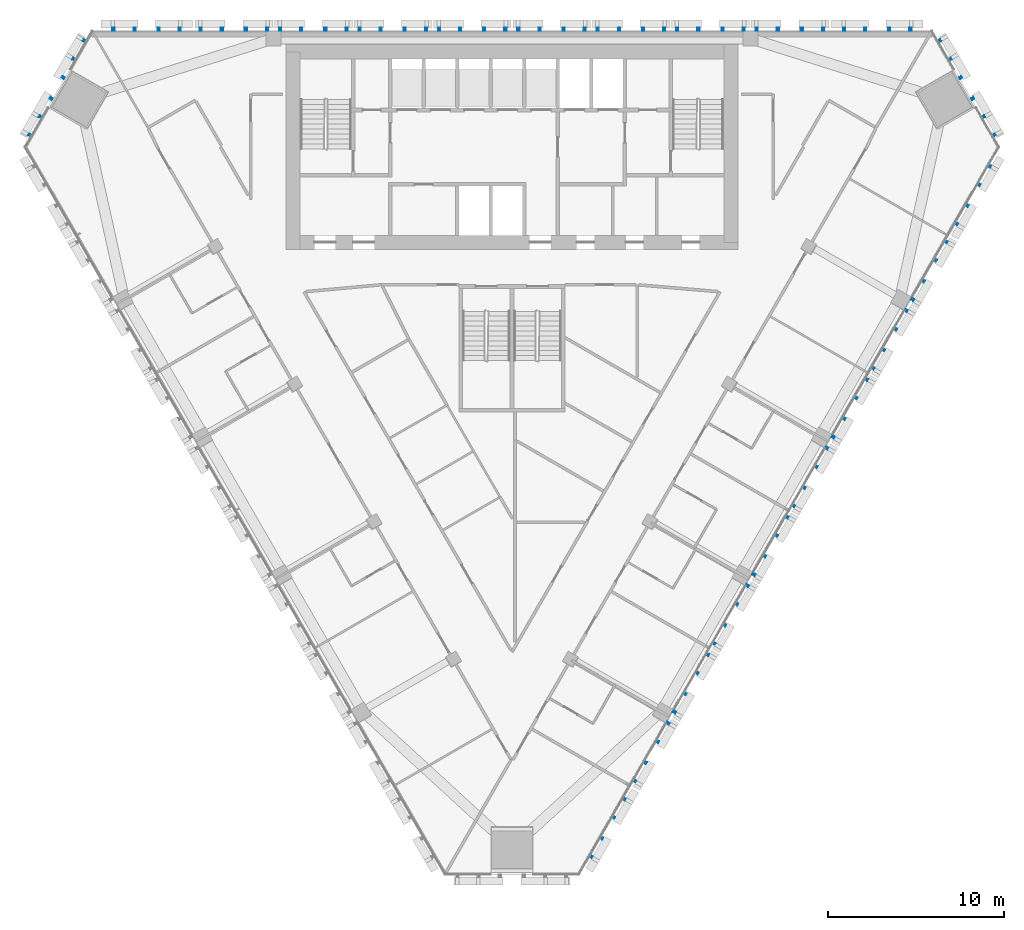
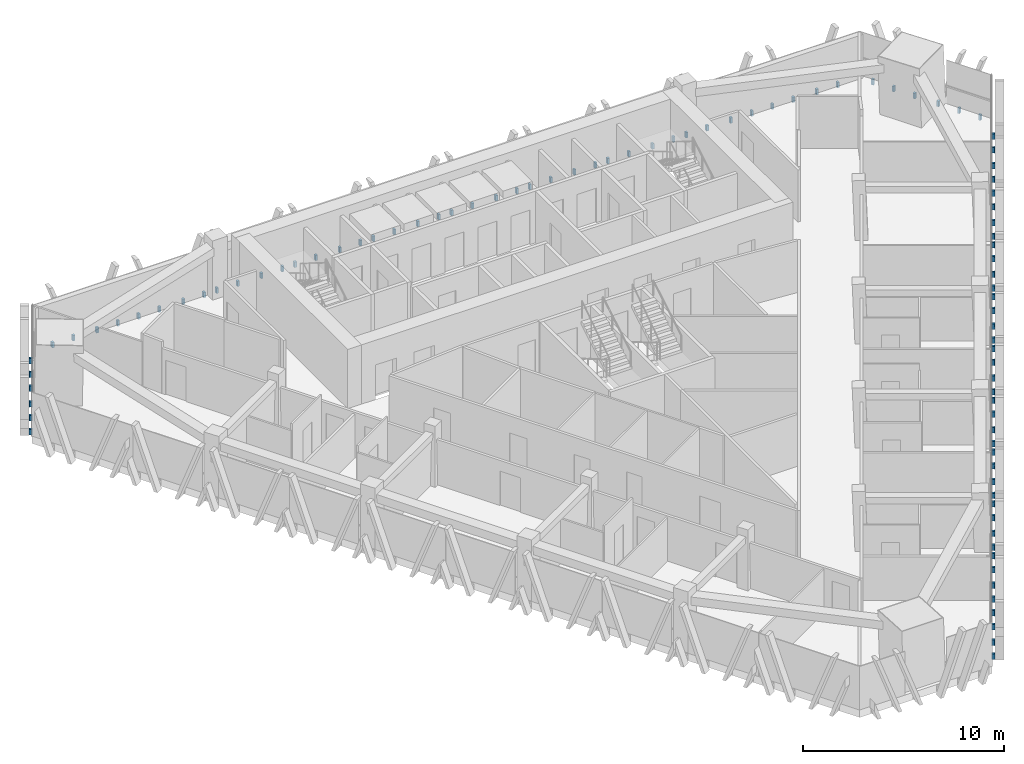
# One storey, part 13 of 16: 4 discrete accessories.
"""IFC4 building model written with IfcOpenShell, lengths in metres."""

from ifc_helpers import new_model, si_unit, direction, frame, origin, place, context, subcontext, project, spatial, polyline, outline, extrude, source, transform, mapped, material, type_object, element, save


model = new_model("IFC4")

# Units and contexts
model_context = context("Model", 3, precision=1e-05, world=origin(), true_north=direction((0.0, 1.0)))
body_context = subcontext(model_context, "Body", "Model", "MODEL_VIEW")
ifc_project = project(units=[si_unit("LENGTHUNIT", "METRE"), si_unit("AREAUNIT", "SQUARE_METRE"), si_unit("VOLUMEUNIT", "CUBIC_METRE"), si_unit("PLANEANGLEUNIT", "RADIAN"), si_unit("MASSUNIT", "GRAM", prefix="KILO")], contexts=[model_context])

# Site, building, storey
site_placement = place(None, origin())
site = spatial("IfcSite", under=ifc_project, at=site_placement, CompositionType="ELEMENT")
building_placement = place(site_placement, origin())
building = spatial("IfcBuilding", under=site, at=building_placement, Name="Altiplano Prism Tower", CompositionType="ELEMENT")
storey_placement = place(building_placement, frame((0.0, 0.0, 138.60009765625)))
storey = spatial("IfcBuildingStorey", under=building, at=storey_placement, Name="L35", CompositionType="ELEMENT", Elevation=138.60009765625)

# Discrete accessories
ifc_material = material(Name="Stainless steel", Category="steel")
discrete_accessory_type = type_object("IfcDiscreteAccessoryType", Name="Stone fin fixing prongs", PredefinedType="USERDEFINED", material=ifc_material)
shared_shape_1 = source(origin(), body_context, "Body", "SweptSolid", [
    extrude(outline(polyline([(-1.94189453125, 0.06005859375), (-1.822021484375, 0.06005859375), (-1.822021484375, 0.389892578125), (-1.94189453125, 0.389892578125), (-1.94189453125, 0.06005859375)])), frame((0.0, 0.0, 0.0), z_axis=(0.0, -1.0, 0.0), x_axis=(1.0, 0.0, 0.0)), (0.0, 0.0, 1.0), 0.14990234375),
    extrude(outline(polyline([(-0.741943359375, 0.06005859375), (-0.621826171875, 0.06005859375), (-0.621826171875, 0.389892578125), (-0.741943359375, 0.389892578125), (-0.741943359375, 0.06005859375)])), frame((0.0, 0.0, 0.0), z_axis=(0.0, -1.0, 0.0), x_axis=(1.0, 0.0, 0.0)), (0.0, 0.0, 1.0), 0.14990234375),
    extrude(outline(polyline([(0.621826171875, 0.06005859375), (0.741943359375, 0.06005859375), (0.741943359375, 0.389892578125), (0.621826171875, 0.389892578125), (0.621826171875, 0.06005859375)])), frame((0.0, 0.0, 0.0), z_axis=(0.0, -1.0, 0.0), x_axis=(1.0, 0.0, 0.0)), (0.0, 0.0, 1.0), 0.14990234375),
    extrude(outline(polyline([(1.822021484375, 0.06005859375), (1.94189453125, 0.06005859375), (1.94189453125, 0.389892578125), (1.822021484375, 0.389892578125), (1.822021484375, 0.06005859375)])), frame((0.0, 0.0, 0.0), z_axis=(0.0, -1.0, 0.0), x_axis=(1.0, 0.0, 0.0)), (0.0, 0.0, 1.0), 0.14990234375),
])
shared_shape_2 = source(origin(), body_context, "Body", "SweptSolid", [
    extrude(outline(polyline([(-1.94189453125, 0.06005859375), (-1.822021484375, 0.06005859375), (-1.822021484375, 0.389892578125), (-1.94189453125, 0.389892578125), (-1.94189453125, 0.06005859375)])), frame((0.0, 0.0, 0.0), z_axis=(0.0, -1.0, 0.0), x_axis=(1.0, 0.0, 0.0)), (0.0, 0.0, 1.0), 0.14990234375),
    extrude(outline(polyline([(-0.741943359375, 0.06005859375), (-0.621826171875, 0.06005859375), (-0.621826171875, 0.389892578125), (-0.741943359375, 0.389892578125), (-0.741943359375, 0.06005859375)])), frame((0.0, 0.0, 0.0), z_axis=(0.0, -1.0, 0.0), x_axis=(1.0, 0.0, 0.0)), (0.0, 0.0, 1.0), 0.14990234375),
    extrude(outline(polyline([(0.621826171875, 0.06005859375), (0.741943359375, 0.06005859375), (0.741943359375, 0.389892578125), (0.621826171875, 0.389892578125), (0.621826171875, 0.06005859375)])), frame((0.0, 0.0, 0.0), z_axis=(0.0, -1.0, 0.0), x_axis=(1.0, 0.0, 0.0)), (0.0, 0.0, 1.0), 0.14990234375),
    extrude(outline(polyline([(1.822021484375, 0.06005859375), (1.94189453125, 0.06005859375), (1.94189453125, 0.389892578125), (1.822021484375, 0.389892578125), (1.822021484375, 0.06005859375)])), frame((0.0, 0.0, 0.0), z_axis=(0.0, -1.0, 0.0), x_axis=(1.0, 0.0, 0.0)), (0.0, 0.0, 1.0), 0.14990234375),
])
discrete_accessory_1_placement = place(storey_placement, origin())
element("IfcDiscreteAccessory", 1, at=discrete_accessory_1_placement, inside=storey, type_object=discrete_accessory_type, Name="Fin fixings L35 north face", ObjectType="BRACKET", PredefinedType="USERDEFINED", context=body_context, shape_type="MappedRepresentation", body=[
    mapped(shared_shape_1, transform((105.699951171875, 105.0, -0.4501953125), x_axis=(-1.0, 0.0, 0.0), y_axis=(0.0, -1.0, 0.0), z_axis=(0.0, 0.0, 1.0))),
    mapped(shared_shape_2, transform((100.75, 105.0, -0.4501953125), x_axis=(-1.0, 0.0, 0.0), y_axis=(0.0, -1.0, 0.0), z_axis=(0.0, 0.0, 1.0))),
    mapped(shared_shape_2, transform((96.25, 105.0, -0.4501953125), x_axis=(-1.0, 0.0, 0.0), y_axis=(0.0, -1.0, 0.0), z_axis=(0.0, 0.0, 1.0))),
    mapped(shared_shape_2, transform((91.75, 105.0, -0.4501953125), x_axis=(-1.0, 0.0, 0.0), y_axis=(0.0, -1.0, 0.0), z_axis=(0.0, 0.0, 1.0))),
    mapped(shared_shape_2, transform((87.25, 105.0, -0.4501953125), x_axis=(-1.0, 0.0, 0.0), y_axis=(0.0, -1.0, 0.0), z_axis=(0.0, 0.0, 1.0))),
    mapped(shared_shape_2, transform((82.75, 105.0, -0.4501953125), x_axis=(-1.0, 0.0, 0.0), y_axis=(0.0, -1.0, 0.0), z_axis=(0.0, 0.0, 1.0))),
    mapped(shared_shape_2, transform((78.25, 105.0, -0.4501953125), x_axis=(-1.0, 0.0, 0.0), y_axis=(0.0, -1.0, 0.0), z_axis=(0.0, 0.0, 1.0))),
    mapped(shared_shape_2, transform((73.75, 105.0, -0.4501953125), x_axis=(-1.0, 0.0, 0.0), y_axis=(0.0, -1.0, 0.0), z_axis=(0.0, 0.0, 1.0))),
    mapped(shared_shape_2, transform((69.25, 105.0, -0.4501953125), x_axis=(-1.0, 0.0, 0.0), y_axis=(0.0, -1.0, 0.0), z_axis=(0.0, 0.0, 1.0))),
    mapped(shared_shape_1, transform((64.300048828125, 105.0, -0.4501953125), x_axis=(-1.0, 0.0, 0.0), y_axis=(0.0, -1.0, 0.0), z_axis=(0.0, 0.0, 1.0))),
])
discrete_accessory_2_placement = place(storey_placement, origin())
element("IfcDiscreteAccessory", 2, at=discrete_accessory_2_placement, inside=storey, type_object=discrete_accessory_type, Name="Fin fixings L35 south-east face", ObjectType="BRACKET", PredefinedType="USERDEFINED", context=body_context, shape_type="MappedRepresentation", body=[
    mapped(shared_shape_1, transform((90.35693359375, 59.868408203125, -0.4501953125), x_axis=(0.499999989809, 0.866025409668, 0.0), y_axis=(-0.866025409668, 0.499999989809, 0.0), z_axis=(0.0, 0.0, 1.0))),
    mapped(shared_shape_2, transform((92.831787109375, 64.155029296875, -0.4501953125), x_axis=(0.499999989809, 0.866025409668, 0.0), y_axis=(-0.866025409668, 0.499999989809, 0.0), z_axis=(0.0, 0.0, 1.0))),
    mapped(shared_shape_2, transform((95.081787109375, 68.05224609375, -0.4501953125), x_axis=(0.499999989809, 0.866025409668, 0.0), y_axis=(-0.866025409668, 0.499999989809, 0.0), z_axis=(0.0, 0.0, 1.0))),
    mapped(shared_shape_2, transform((97.331787109375, 71.94921875, -0.4501953125), x_axis=(0.499999989809, 0.866025409668, 0.0), y_axis=(-0.866025409668, 0.499999989809, 0.0), z_axis=(0.0, 0.0, 1.0))),
    mapped(shared_shape_2, transform((99.581787109375, 75.846435546875, -0.4501953125), x_axis=(0.499999989809, 0.866025409668, 0.0), y_axis=(-0.866025409668, 0.499999989809, 0.0), z_axis=(0.0, 0.0, 1.0))),
    mapped(shared_shape_2, transform((101.831787109375, 79.743408203125, -0.4501953125), x_axis=(0.499999989809, 0.866025409668, 0.0), y_axis=(-0.866025409668, 0.499999989809, 0.0), z_axis=(0.0, 0.0, 1.0))),
    mapped(shared_shape_2, transform((104.081787109375, 83.640625, -0.4501953125), x_axis=(0.499999989809, 0.866025409668, 0.0), y_axis=(-0.866025409668, 0.499999989809, 0.0), z_axis=(0.0, 0.0, 1.0))),
    mapped(shared_shape_2, transform((106.331787109375, 87.53759765625, -0.4501953125), x_axis=(0.499999989809, 0.866025409668, 0.0), y_axis=(-0.866025409668, 0.499999989809, 0.0), z_axis=(0.0, 0.0, 1.0))),
    mapped(shared_shape_2, transform((108.581787109375, 91.434814453125, -0.4501953125), x_axis=(0.499999989809, 0.866025409668, 0.0), y_axis=(-0.866025409668, 0.499999989809, 0.0), z_axis=(0.0, 0.0, 1.0))),
    mapped(shared_shape_1, transform((111.056884765625, 95.7216796875, -0.4501953125), x_axis=(0.499999989809, 0.866025409668, 0.0), y_axis=(-0.866025409668, 0.499999989809, 0.0), z_axis=(0.0, 0.0, 1.0))),
])
shared_shape_3 = source(origin(), body_context, "Body", "SweptSolid", [
    extrude(outline(polyline([(-3.141845703125, 0.06005859375), (-3.02197265625, 0.06005859375), (-3.02197265625, 0.389892578125), (-3.141845703125, 0.389892578125), (-3.141845703125, 0.06005859375)])), frame((0.0, 0.0, 0.0), z_axis=(0.0, -1.0, 0.0), x_axis=(1.0, 0.0, 0.0)), (0.0, 0.0, 1.0), 0.14990234375),
    extrude(outline(polyline([(-1.94189453125, 0.06005859375), (-1.822021484375, 0.06005859375), (-1.822021484375, 0.389892578125), (-1.94189453125, 0.389892578125), (-1.94189453125, 0.06005859375)])), frame((0.0, 0.0, 0.0), z_axis=(0.0, -1.0, 0.0), x_axis=(1.0, 0.0, 0.0)), (0.0, 0.0, 1.0), 0.14990234375),
    extrude(outline(polyline([(-0.741943359375, 0.06005859375), (-0.621826171875, 0.06005859375), (-0.621826171875, 0.389892578125), (-0.741943359375, 0.389892578125), (-0.741943359375, 0.06005859375)])), frame((0.0, 0.0, 0.0), z_axis=(0.0, -1.0, 0.0), x_axis=(1.0, 0.0, 0.0)), (0.0, 0.0, 1.0), 0.14990234375),
    extrude(outline(polyline([(0.621826171875, 0.06005859375), (0.741943359375, 0.06005859375), (0.741943359375, 0.389892578125), (0.621826171875, 0.389892578125), (0.621826171875, 0.06005859375)])), frame((0.0, 0.0, 0.0), z_axis=(0.0, -1.0, 0.0), x_axis=(1.0, 0.0, 0.0)), (0.0, 0.0, 1.0), 0.14990234375),
    extrude(outline(polyline([(1.822021484375, 0.06005859375), (1.94189453125, 0.06005859375), (1.94189453125, 0.389892578125), (1.822021484375, 0.389892578125), (1.822021484375, 0.06005859375)])), frame((0.0, 0.0, 0.0), z_axis=(0.0, -1.0, 0.0), x_axis=(1.0, 0.0, 0.0)), (0.0, 0.0, 1.0), 0.14990234375),
    extrude(outline(polyline([(3.02197265625, 0.06005859375), (3.141845703125, 0.06005859375), (3.141845703125, 0.389892578125), (3.02197265625, 0.389892578125), (3.02197265625, 0.06005859375)])), frame((0.0, 0.0, 0.0), z_axis=(0.0, -1.0, 0.0), x_axis=(1.0, 0.0, 0.0)), (0.0, 0.0, 1.0), 0.14990234375),
])
discrete_accessory_3_placement = place(storey_placement, origin())
element("IfcDiscreteAccessory", 3, at=discrete_accessory_3_placement, inside=storey, type_object=discrete_accessory_type, Name="Fin fixings L35 north-west chamfer", ObjectType="BRACKET", PredefinedType="USERDEFINED", context=body_context, shape_type="MappedRepresentation", body=[
    mapped(shared_shape_3, transform((59.296630859375, 101.703125, -0.4501953125), x_axis=(-0.500000004206, -0.866025401356, 0.0), y_axis=(0.866025401356, -0.500000004206, 0.0), z_axis=(0.0, 0.0, 1.0))),
])
discrete_accessory_4_placement = place(storey_placement, origin())
element("IfcDiscreteAccessory", 4, at=discrete_accessory_4_placement, inside=storey, type_object=discrete_accessory_type, Name="Fin fixings L35 north-east chamfer", ObjectType="BRACKET", PredefinedType="USERDEFINED", context=body_context, shape_type="MappedRepresentation", body=[
    mapped(shared_shape_3, transform((110.703369140625, 101.703125, -0.4501953125), x_axis=(-0.500000004206, 0.866025401356, 0.0), y_axis=(-0.866025401356, -0.500000004206, 0.0), z_axis=(0.0, 0.0, 1.0))),
])

save(model, "model.ifc")
